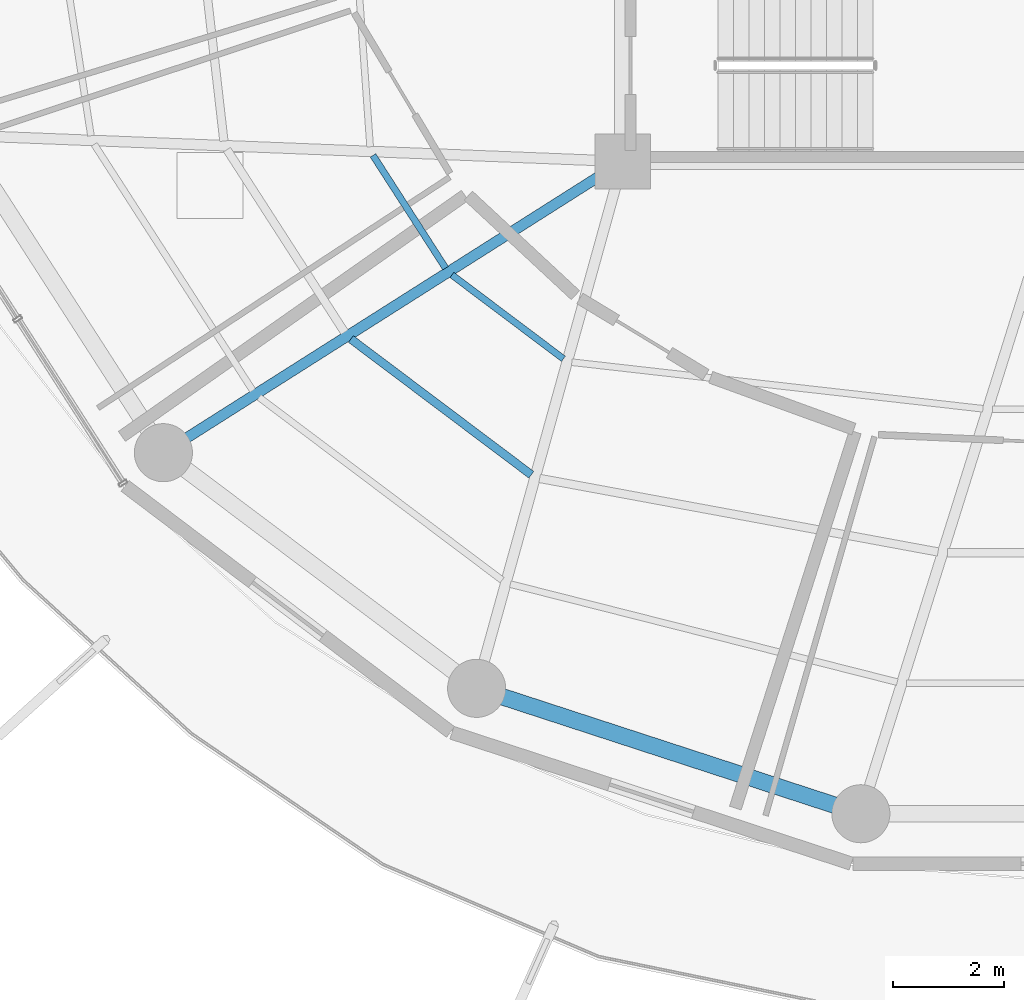
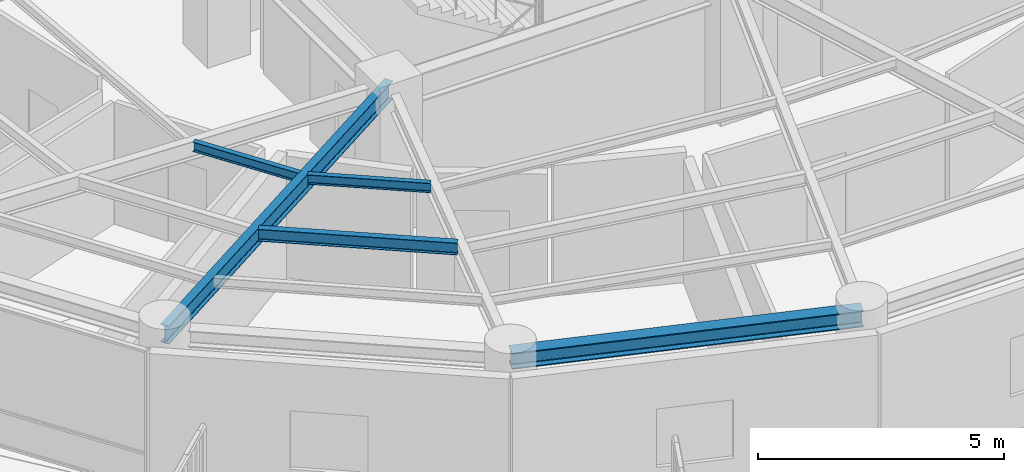
# One storey, part 3 of 31: 5 beams.
"""IFC4 building model written with IfcOpenShell, lengths in metres."""

import ifcopenshell
import ifcopenshell.guid

model = None  # the IFC model being written
_history = None  # IfcOwnerHistory: only IFC2X3 demands one
_inside = {}  # id of a spatial element -> (the spatial element, [elements in it])
_under = {}  # id of a project, library or spatial element -> (it, [spatial elements below it])
_declared = {}  # id of a project -> (the project, [libraries it declares])
_typed = {}  # id of a type object -> (the type object, [elements of that type])
_made_of = {}  # id of a material, layer set ... -> (it, [elements and type objects made of it])


def new_model(schema):
    """Start an empty IFC model of exactly this schema.

    Asked for "IFC4X3", IfcOpenShell would pick the latest addendum, in which some entities
    have other attributes; the version numbers below select the first issue.
    IFC2X3 requires an IfcOwnerHistory on every rooted entity: one is made here for all.
    """
    global model, _history
    if schema == "IFC4X3":
        model = ifcopenshell.file(schema_version=(4, 3, 0, 0))
    else:
        model = ifcopenshell.file(schema=schema)
    _inside.clear()
    _under.clear()
    _declared.clear()
    _typed.clear()
    _made_of.clear()
    _history = None
    if model.schema == "IFC2X3":
        org = make("IfcOrganization", Name="unknown")
        user = make(
            "IfcPersonAndOrganization",
            ThePerson=make("IfcPerson", FamilyName="unknown"),
            TheOrganization=org,
        )
        app = make(
            "IfcApplication",
            ApplicationDeveloper=org,
            Version="unknown",
            ApplicationFullName="unknown",
            ApplicationIdentifier="unknown",
        )
        _history = make(
            "IfcOwnerHistory",
            OwningUser=user,
            OwningApplication=app,
            ChangeAction="ADDED",
            CreationDate=0,
        )
    return model


def make(cls, **values):
    """One entity of the class cls with the attributes given. An attribute that is None is left unset."""
    return model.create_entity(
        cls, **{name: value for name, value in values.items() if value is not None}
    )


def rooted(cls, **values):
    """An entity with a GlobalId (a new one), such as an element, a storey or a relation."""
    return make(cls, GlobalId=ifcopenshell.guid.new(), OwnerHistory=_history, **values)


def si_unit(unit_type, name, prefix=None):
    """IfcSIUnit, for example si_unit("LENGTHUNIT", "METRE", prefix="MILLI")."""
    return make("IfcSIUnit", UnitType=unit_type, Prefix=prefix, Name=name)


def assignment(units):
    """IfcUnitAssignment: the units of a project."""
    return None if units is None else make("IfcUnitAssignment", Units=units)


def point(xyz):
    """IfcCartesianPoint."""
    return None if xyz is None else make("IfcCartesianPoint", Coordinates=xyz)


def direction(xyz):
    """IfcDirection."""
    return None if xyz is None else make("IfcDirection", DirectionRatios=xyz)


def frame(location, z_axis=None, x_axis=None):
    """IfcAxis2Placement3D, a coordinate frame: its origin and axes. An axis left out is left unset."""
    return make(
        "IfcAxis2Placement3D",
        Location=point(location),
        Axis=direction(z_axis),
        RefDirection=direction(x_axis),
    )


def frame_2d(location, x_axis=None):
    """IfcAxis2Placement2D, a coordinate frame in the plane: its origin and x axis."""
    return make(
        "IfcAxis2Placement2D", Location=point(location), RefDirection=direction(x_axis)
    )


def origin():
    """The frame at (0, 0, 0) with its axes left unset."""
    return frame((0.0, 0.0, 0.0))


def origin_2d():
    """The frame at (0, 0) in the plane with its x axis left unset."""
    return frame_2d((0.0, 0.0))


def place(relative_to, where):
    """IfcLocalPlacement: puts the frame where relative to a parent placement (None: the world)."""
    return make(
        "IfcLocalPlacement", PlacementRelTo=relative_to, RelativePlacement=where
    )


def context(
    kind, dimensions, precision=None, world=None, true_north=None, identifier=None
):
    """IfcGeometricRepresentationContext, for example the 3D "Model" context."""
    return make(
        "IfcGeometricRepresentationContext",
        ContextIdentifier=identifier,
        ContextType=kind,
        CoordinateSpaceDimension=dimensions,
        Precision=precision,
        WorldCoordinateSystem=world,
        TrueNorth=true_north,
    )


def subcontext(parent, identifier, kind, view, scale=None):
    """IfcGeometricRepresentationSubContext, for example "Body" below "Model"."""
    return make(
        "IfcGeometricRepresentationSubContext",
        ContextIdentifier=identifier,
        ContextType=kind,
        ParentContext=parent,
        TargetScale=scale,
        TargetView=view,
    )


def project(units=None, contexts=None):
    """IfcProject with its units and contexts."""
    return rooted(
        "IfcProject",
        Name="project",
        RepresentationContexts=contexts,
        UnitsInContext=assignment(units),
    )


def spatial(cls, under=None, at=None, **own):
    """A site, building, storey or space (cls), placed at a placement, below another one or the project."""
    s = rooted(cls, ObjectPlacement=at, **own)
    if under is not None:
        _under.setdefault(under.id(), (under, []))[1].append(s)
    return s


def profile(cls, at=None, kind="AREA", **sizes):
    """A parametric profile (cls). Its sizes go by their IFC names, for example OverallWidth=200.0."""
    return make(cls, ProfileType=kind, Position=at, **sizes)


def i_section(**sizes):
    """IfcIShapeProfileDef."""
    return profile("IfcIShapeProfileDef", **sizes)


def extrude(swept, where, along, depth):
    """IfcExtrudedAreaSolid: the profile swept, set in the frame where, extruded along a direction by depth."""
    return make(
        "IfcExtrudedAreaSolid",
        SweptArea=swept,
        Position=where,
        ExtrudedDirection=direction(along),
        Depth=depth,
    )


def shape(context_of_items, identifier, shape_type, items):
    """IfcShapeRepresentation: the items that make up one representation, for example the "Body"."""
    return make(
        "IfcShapeRepresentation",
        ContextOfItems=context_of_items,
        RepresentationIdentifier=identifier,
        RepresentationType=shape_type,
        Items=items,
    )


def material(Name=None, Category=None):
    """IfcMaterial."""
    return make("IfcMaterial", Name=Name, Category=Category)


def material_profile(
    of_material, cross_section, Name=None, Category=None, Priority=None
):
    """IfcMaterialProfile: a cross section and its material."""
    return make(
        "IfcMaterialProfile",
        Name=Name,
        Material=of_material,
        Profile=cross_section,
        Priority=Priority,
        Category=Category,
    )


def profile_set(profiles, Name=None, composite=None):
    """IfcMaterialProfileSet."""
    return make(
        "IfcMaterialProfileSet",
        Name=Name,
        MaterialProfiles=profiles,
        CompositeProfile=composite,
    )


def made_of(thing, what):
    """Note that an element or type object is made of a material, layer set ...; save() writes the relation."""
    if what is not None:
        _made_of.setdefault(what.id(), (what, []))[1].append(thing)
    return thing


def type_object(cls, material=None, **own):
    """A type object (cls), such as IfcWallType, which elements share."""
    return made_of(rooted(cls, **own), material)


def element(
    cls,
    number,
    at=None,
    inside=None,
    cuts=None,
    type_object=None,
    material=None,
    context=None,
    identifier="Body",
    shape_type=None,
    held_by="IfcProductDefinitionShape",
    body=None,
    shapes=None,
    **own,
):
    """One element of the class cls, such as IfcWall. Its Tag is "e" and its number.

    at: its placement. inside: the storey or other place that contains it. cuts: it is an
    opening in that element (IfcRelVoidsElement). A single representation is given by context,
    identifier, shape_type and body (its items); several are given by shapes. held_by: the class
    of the entity that holds the representations. save() writes the other relations.
    """
    e = rooted(cls, Tag="e%d" % number, ObjectPlacement=at, **own)
    if body is not None:
        shapes = [shape(context, identifier, shape_type, body)]
    if shapes is not None:
        e.Representation = make(held_by, Representations=shapes)
    if inside is not None:
        _inside.setdefault(inside.id(), (inside, []))[1].append(e)
    if cuts is not None:
        rooted(
            "IfcRelVoidsElement", RelatingBuildingElement=cuts, RelatedOpeningElement=e
        )
    if type_object is not None:
        _typed.setdefault(type_object.id(), (type_object, []))[1].append(e)
    return made_of(e, material)


def aggregate(whole, parts):
    """IfcRelAggregates: a whole, such as a stair, and the parts it consists of."""
    return rooted("IfcRelAggregates", RelatingObject=whole, RelatedObjects=parts)


def save(model, path):
    """Write the relations noted so far, then the file.

    IfcRelAggregates (storeys below a building ...), IfcRelContainedInSpatialStructure (elements
    in a storey), IfcRelDefinesByType, IfcRelAssociatesMaterial and IfcRelDeclares: one each for
    every whole, place, type object, material and project.
    """
    for whole, parts in _under.values():
        aggregate(whole, parts)
    for where, things in _inside.values():
        rooted(
            "IfcRelContainedInSpatialStructure",
            RelatedElements=things,
            RelatingStructure=where,
        )
    for kind, things in _typed.values():
        rooted("IfcRelDefinesByType", RelatedObjects=things, RelatingType=kind)
    for what, things in _made_of.values():
        rooted("IfcRelAssociatesMaterial", RelatedObjects=things, RelatingMaterial=what)
    for by, libraries in _declared.values():
        rooted("IfcRelDeclares", RelatingContext=by, RelatedDefinitions=libraries)
    model.write(path)


model = new_model("IFC4")

# Units and contexts
model_context = context("Model", 3, precision=1e-05, world=origin(), true_north=direction((0.0, 1.0)))
body_context = subcontext(model_context, "Body", "Model", "MODEL_VIEW")
ifc_project = project(units=[si_unit("LENGTHUNIT", "METRE"), si_unit("AREAUNIT", "SQUARE_METRE"), si_unit("VOLUMEUNIT", "CUBIC_METRE"), si_unit("PLANEANGLEUNIT", "RADIAN"), si_unit("MASSUNIT", "GRAM", prefix="KILO")], contexts=[model_context])

# Site, building, storey
site_placement = place(None, origin())
site = spatial("IfcSite", under=ifc_project, at=site_placement, CompositionType="ELEMENT")
building_placement = place(site_placement, origin())
building = spatial("IfcBuilding", under=site, at=building_placement, Name="Kelanora Arch Commons", CompositionType="ELEMENT")
storey_placement = place(building_placement, frame((0.0, 0.0, 226.949951171875)))
storey = spatial("IfcBuildingStorey", under=building, at=storey_placement, Name="L58", CompositionType="ELEMENT", Elevation=226.949951171875)

# Beams
ifc_material = material(Name="Steel S355", Category="steel")
ifc_material_profile_1 = material_profile(ifc_material, i_section(OverallWidth=0.14990234375, OverallDepth=0.300048828125, WebThickness=0.007080078125, FlangeThickness=0.0107421875, FilletRadius=0.014892578125, at=origin_2d()), Name="IPE300")
ifc_profile_set_1 = profile_set([ifc_material_profile_1], Name="Steel S355")
beam_type_1 = type_object("IfcBeamType", Name="BM-JST-01", PredefinedType="JOIST", material=ifc_profile_set_1)
beam_1_placement = place(storey_placement, frame((61.087158203125, 47.790283203125, 3.340087890625), z_axis=(0.799101708656, -0.601195857624, 0.0), x_axis=(0.601195857624, 0.799101708656, 0.0)))
element("IfcBeam", 1, at=beam_1_placement, inside=storey, type_object=beam_type_1, Name="Secondary Chord Joist BJB-22 L58", PredefinedType="JOIST", context=body_context, shape_type="SweptSolid", body=[
    extrude(i_section(OverallWidth=0.14990234375, OverallDepth=0.300048828125, WebThickness=0.007080078125, FlangeThickness=0.0107421875, FilletRadius=0.014892578125, at=origin_2d()), origin(), (0.0, 0.0, 1.0), 4.080810546875),
])
ifc_material_profile_2 = material_profile(ifc_material, i_section(OverallWidth=0.1201171875, OverallDepth=0.239990234375, WebThickness=0.006103515625, FlangeThickness=0.009765625, FilletRadius=0.014892578125, at=origin_2d()), Name="IPE240")
ifc_profile_set_2 = profile_set([ifc_material_profile_2], Name="Steel S355")
beam_type_2 = type_object("IfcBeamType", Name="BM-JST-02", PredefinedType="JOIST", material=ifc_profile_set_2)
beam_2_placement = place(storey_placement, frame((61.4873046875, 51.10888671875, 3.3701171875), z_axis=(0.541332763503, -0.840808443796, 0.0), x_axis=(0.840808443796, 0.541332763503, 0.0)))
element("IfcBeam", 2, at=beam_2_placement, inside=storey, type_object=beam_type_2, Name="Secondary Chord Joist BJA-20 L58", PredefinedType="JOIST", context=body_context, shape_type="SweptSolid", body=[
    extrude(i_section(OverallWidth=0.1201171875, OverallDepth=0.239990234375, WebThickness=0.006103515625, FlangeThickness=0.009765625, FilletRadius=0.014892578125, at=origin_2d()), origin(), (0.0, 0.0, 1.0), 2.423583984375),
])
beam_3_placement = place(storey_placement, frame((62.913330078125, 48.948486328125, 3.3701171875), z_axis=(0.79911638933, -0.601176343766, 0.0), x_axis=(0.601176343766, 0.79911638933, 0.0)))
element("IfcBeam", 3, at=beam_3_placement, inside=storey, type_object=beam_type_2, Name="Secondary Chord Joist BJA-22 L58", PredefinedType="JOIST", context=body_context, shape_type="SweptSolid", body=[
    extrude(i_section(OverallWidth=0.1201171875, OverallDepth=0.239990234375, WebThickness=0.006103515625, FlangeThickness=0.009765625, FilletRadius=0.014892578125, at=origin_2d()), origin(), (0.0, 0.0, 1.0), 2.522216796875),
])
ifc_material_profile_3 = material_profile(ifc_material, i_section(OverallWidth=0.18994140625, OverallDepth=0.449951171875, WebThickness=0.009521484375, FlangeThickness=0.0146484375, FilletRadius=0.02099609375, at=origin_2d()), Name="IPE450")
ifc_profile_set_3 = profile_set([ifc_material_profile_3], Name="Steel S355")
beam_type_3 = type_object("IfcBeamType", Name="BM-RAD-Z4", PredefinedType="BEAM", material=ifc_profile_set_3)
beam_4_placement = place(storey_placement, frame((66.0, 51.0, 3.26513671875), z_axis=(-0.844507208607, -0.535544185489, 0.0), x_axis=(0.535544185489, -0.844507208607, 0.0)))
element("IfcBeam", 4, at=beam_4_placement, inside=storey, type_object=beam_type_3, Name="Radial Floor Girder BR-22 L58", PredefinedType="BEAM", context=body_context, shape_type="SweptSolid", body=[
    extrude(i_section(OverallWidth=0.18994140625, OverallDepth=0.449951171875, WebThickness=0.009521484375, FlangeThickness=0.0146484375, FilletRadius=0.02099609375, at=origin_2d()), origin(), (0.0, 0.0, 1.0), 9.830078125),
])
ifc_material_profile_4 = material_profile(ifc_material, i_section(OverallWidth=0.300048828125, OverallDepth=0.39990234375, WebThickness=0.013427734375, FlangeThickness=0.02392578125, FilletRadius=0.027099609375, at=origin_2d()), Name="HEB400")
ifc_profile_set_4 = profile_set([ifc_material_profile_4], Name="Steel S355")
beam_type_4 = type_object("IfcBeamType", Name="BM-SPN-Z4", PredefinedType="SPANDREL", material=ifc_profile_set_4)
beam_5_placement = place(storey_placement, frame((63.360107421875, 41.476318359375, 3.2900390625), z_axis=(0.950656361143, -0.310245842872, 0.0), x_axis=(0.310245842872, 0.950656361143, 0.0)))
element("IfcBeam", 5, at=beam_5_placement, inside=storey, type_object=beam_type_4, Name="Perimeter Spandrel Beam BS-24 L58", PredefinedType="SPANDREL", context=body_context, shape_type="SweptSolid", body=[
    extrude(i_section(OverallWidth=0.300048828125, OverallDepth=0.39990234375, WebThickness=0.013427734375, FlangeThickness=0.02392578125, FilletRadius=0.027099609375, at=origin_2d()), origin(), (0.0, 0.0, 1.0), 7.304931640625),
])

save(model, "model.ifc")
